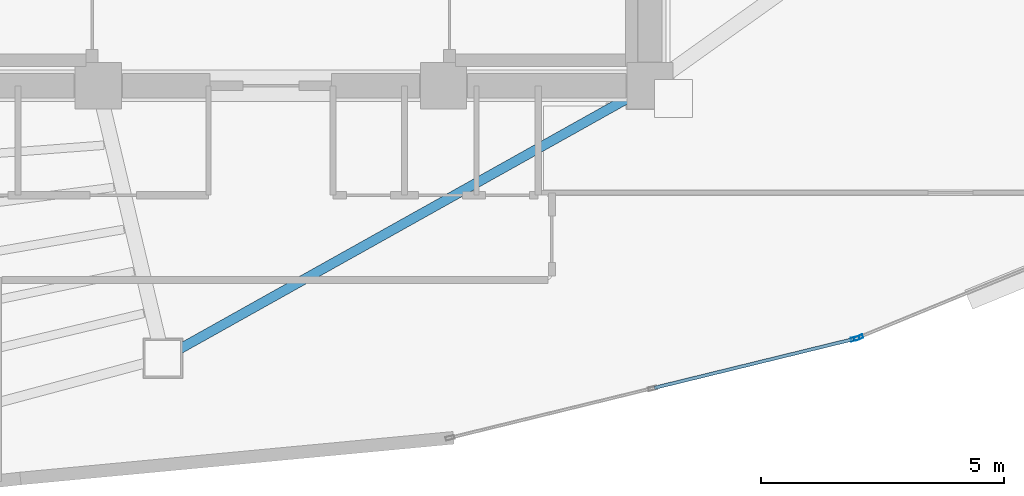
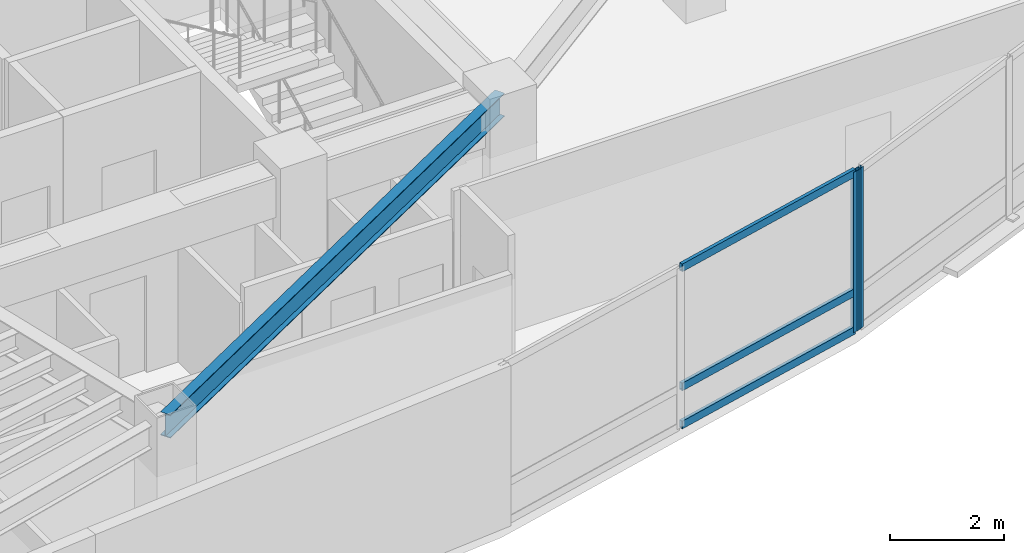
# One storey, part 5 of 17: 5 members, 1 beam, 2 elements without a shape of their own.
"""IFC4 building model written with IfcOpenShell, lengths in metres."""

from ifc_helpers import new_model, si_unit, direction, frame, origin, origin_2d, place, context, subcontext, project, spatial, hollow_rectangle, i_section, extrude, material, layer, layer_set, material_profile, profile_set, type_object, element, aggregate, save


model = new_model("IFC4")

# Units and contexts
model_context = context("Model", 3, precision=1e-05, world=origin(), true_north=direction((0.0, 1.0)))
body_context = subcontext(model_context, "Body", "Model", "MODEL_VIEW")
ifc_project = project(units=[si_unit("LENGTHUNIT", "METRE"), si_unit("AREAUNIT", "SQUARE_METRE"), si_unit("VOLUMEUNIT", "CUBIC_METRE"), si_unit("PLANEANGLEUNIT", "RADIAN"), si_unit("MASSUNIT", "GRAM", prefix="KILO")], contexts=[model_context])

# Site, building, storey
site_placement = place(None, origin())
site = spatial("IfcSite", under=ifc_project, at=site_placement, CompositionType="ELEMENT")
building_placement = place(site_placement, origin())
building = spatial("IfcBuilding", under=site, at=building_placement, Name="Menara Vayukalpa", CompositionType="ELEMENT")
storey_placement = place(building_placement, frame((0.0, 0.0, 234.419921875)))
storey = spatial("IfcBuildingStorey", under=building, at=storey_placement, Name="L59", CompositionType="ELEMENT", Elevation=234.419921875)

# Beam
ifc_material_1 = material(Name="Steel S355", Category="steel")
ifc_material_profile_1 = material_profile(ifc_material_1, i_section(OverallWidth=0.199951171875, OverallDepth=0.5, WebThickness=0.010009765625, FlangeThickness=0.01611328125, at=origin_2d()), Name="WF 500x200x10x16")
ifc_profile_set_1 = profile_set([ifc_material_profile_1], Name="Steel S355")
beam_type = type_object("IfcBeamType", Name="BM-SP3", PredefinedType="SPANDREL", material=ifc_profile_set_1)
beam_placement = place(storey_placement, frame((23.3818359375, 11.59521484375, 3.190185546875), z_axis=(0.87270577288, 0.48824648896, 0.0), x_axis=(-0.48824648896, 0.87270577288, 0.0)))
element("IfcBeam", 1, at=beam_placement, inside=storey, type_object=beam_type, Name="L59 Perimeter Spandrel Beam SP08", PredefinedType="SPANDREL", context=body_context, shape_type="SweptSolid", body=[
    extrude(i_section(OverallWidth=0.199951171875, OverallDepth=0.5, WebThickness=0.010009765625, FlangeThickness=0.01611328125, at=origin_2d()), origin(), (0.0, 0.0, 1.0), 11.479248046875),
])

# Curtain wall, member
ifc_material_2 = material(Name="Anodised Terracotta Aluminium Alloy 6063-T6", Category="masonry")
ifc_layer = layer(ifc_material_2, 0.179931640625)
ifc_layer_set = layer_set([ifc_layer], Name="Anodised Terracotta Aluminium Alloy 6063-T6")
curtain_wall_type = type_object("IfcCurtainWallType", Name="CW-CW4", PredefinedType="USERDEFINED", material=ifc_layer_set)
curtain_wall_1_placement = place(storey_placement, origin())
curtain_wall_1 = element("IfcCurtainWall", 2, at=curtain_wall_1_placement, inside=storey, type_object=curtain_wall_type, Name="L59 Sky Bar Cantilever Glazed Curtain Wall CW4 16", ObjectType="UNITISED", PredefinedType="USERDEFINED")
ifc_material_3 = material(Name="Anodised Terracotta Aluminium Alloy 6063-T6", Category="masonry")
ifc_material_profile_2 = material_profile(ifc_material_3, hollow_rectangle(XDim=0.074951171875, YDim=0.179931640625, WallThickness=0.00390625, at=origin_2d()), Name="ALU 75x180x4")
ifc_profile_set_2 = profile_set([ifc_material_profile_2], Name="Anodised Terracotta Aluminium Alloy 6063-T6")
member_type_1 = type_object("IfcMemberType", Name="CWM-CW4", PredefinedType="MULLION", material=ifc_profile_set_2)
member_1_placement = place(storey_placement, frame((37.61962890625, 11.9990234375, 0.0), z_axis=(0.0, 0.0, 1.0), x_axis=(-0.237809768652, 0.971311749097, 0.0)))
member_1 = element("IfcMember", 3, at=member_1_placement, type_object=member_type_1, Name="CW4 mullion 3", PredefinedType="MULLION", context=body_context, shape_type="SweptSolid", body=[
    extrude(hollow_rectangle(XDim=0.074951171875, YDim=0.179931640625, WallThickness=0.00390625, at=origin_2d()), origin(), (0.0, 0.0, 1.0), 3.440185546875),
])

curtain_wall_2_placement = place(storey_placement, origin())
curtain_wall_2 = element("IfcCurtainWall", 4, at=curtain_wall_2_placement, inside=storey, type_object=curtain_wall_type, Name="L59 Sky Bar Cantilever Glazed Curtain Wall CW4 17", ObjectType="UNITISED", PredefinedType="USERDEFINED")
member_2_placement = place(storey_placement, frame((37.690673828125, 12.022216796875, 0.0), z_axis=(0.0, 0.0, 1.0), x_axis=(-0.380039448491, 0.924970279301, 0.0)))
member_2 = element("IfcMember", 5, at=member_2_placement, type_object=member_type_1, Name="CW4 mullion 1", PredefinedType="MULLION", context=body_context, shape_type="SweptSolid", body=[
    extrude(hollow_rectangle(XDim=0.074951171875, YDim=0.179931640625, WallThickness=0.00390625, at=origin_2d()), origin(), (0.0, 0.0, 1.0), 3.440185546875),
])
aggregate(curtain_wall_2, [member_2])

# Member
ifc_material_4 = material(Name="Anodised Terracotta Aluminium Alloy 6063-T6", Category="masonry")
ifc_material_profile_3 = material_profile(ifc_material_4, hollow_rectangle(XDim=0.070068359375, YDim=0.1650390625, WallThickness=0.00390625, at=origin_2d()), Name="ALU 70x165x4")
ifc_profile_set_3 = profile_set([ifc_material_profile_3], Name="Anodised Terracotta Aluminium Alloy 6063-T6")
member_type_2 = type_object("IfcMemberType", Name="CWT-CW4", PredefinedType="USERDEFINED", material=ifc_profile_set_3)
member_3_placement = place(storey_placement, frame((33.48974609375, 10.988037109375, 0.03515625), z_axis=(0.971313425115, 0.237802923009, 0.0), x_axis=(-0.237802923009, 0.971313425115, 0.0)))
member_3 = element("IfcMember", 6, at=member_3_placement, type_object=member_type_2, Name="CW4 transom 2.1", ObjectType="TRANSOM", PredefinedType="USERDEFINED", context=body_context, shape_type="SweptSolid", body=[
    extrude(hollow_rectangle(XDim=0.070068359375, YDim=0.1650390625, WallThickness=0.00390625, at=origin_2d()), origin(), (0.0, 0.0, 1.0), 4.21435546875),
])

member_4_placement = place(storey_placement, frame((33.48974609375, 10.988037109375, 0.85009765625), z_axis=(0.971313425115, 0.237802923009, 0.0), x_axis=(-0.237802923009, 0.971313425115, 0.0)))
member_4 = element("IfcMember", 7, at=member_4_placement, type_object=member_type_2, Name="CW4 transom 2.2", ObjectType="TRANSOM", PredefinedType="USERDEFINED", context=body_context, shape_type="SweptSolid", body=[
    extrude(hollow_rectangle(XDim=0.070068359375, YDim=0.1650390625, WallThickness=0.00390625, at=origin_2d()), origin(), (0.0, 0.0, 1.0), 4.21435546875),
])

member_5_placement = place(storey_placement, frame((33.48974609375, 10.988037109375, 3.405029296875), z_axis=(0.971313425115, 0.237802923009, 0.0), x_axis=(-0.237802923009, 0.971313425115, 0.0)))
member_5 = element("IfcMember", 8, at=member_5_placement, type_object=member_type_2, Name="CW4 transom 2.3", ObjectType="TRANSOM", PredefinedType="USERDEFINED", context=body_context, shape_type="SweptSolid", body=[
    extrude(hollow_rectangle(XDim=0.070068359375, YDim=0.1650390625, WallThickness=0.00390625, at=origin_2d()), origin(), (0.0, 0.0, 1.0), 4.21435546875),
])

aggregate(curtain_wall_1, [member_1, member_3, member_4, member_5])

save(model, "model.ifc")
